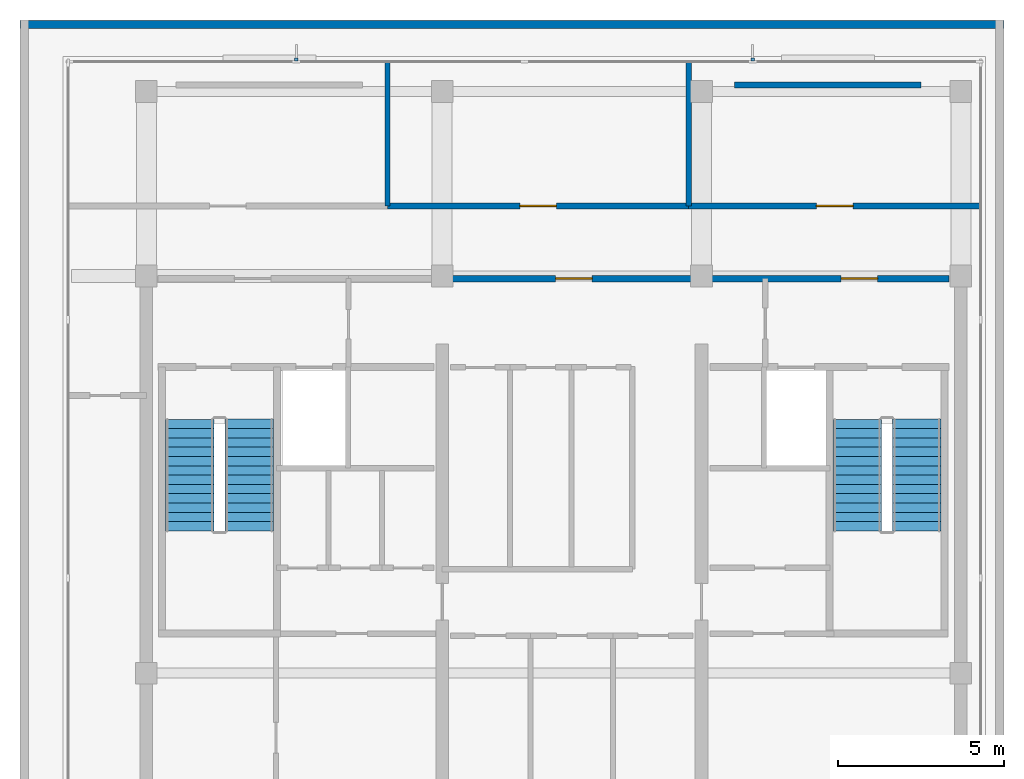
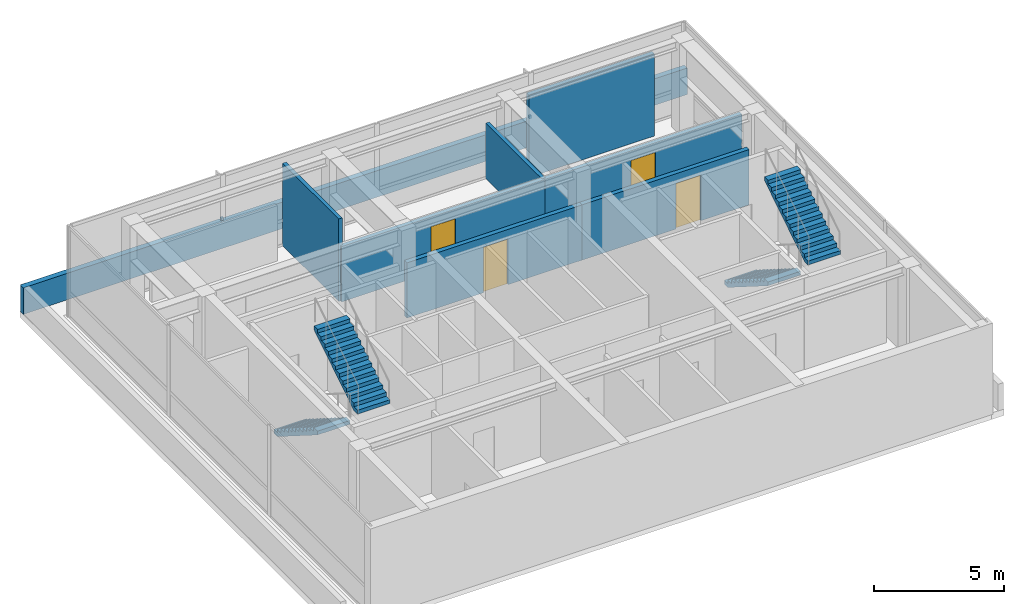
# One storey, part 4 of 5: 8 walls, 4 doors, 4 stair flights, 2 discrete accessories, 4 openings, 2 elements without a shape of their own.
"""IFC4 building model written with IfcOpenShell, lengths in metres."""

import ifcopenshell
import ifcopenshell.guid

model = None  # the IFC model being written
_history = None  # IfcOwnerHistory: only IFC2X3 demands one
_inside = {}  # id of a spatial element -> (the spatial element, [elements in it])
_under = {}  # id of a project, library or spatial element -> (it, [spatial elements below it])
_declared = {}  # id of a project -> (the project, [libraries it declares])
_typed = {}  # id of a type object -> (the type object, [elements of that type])
_made_of = {}  # id of a material, layer set ... -> (it, [elements and type objects made of it])


def new_model(schema):
    """Start an empty IFC model of exactly this schema.

    Asked for "IFC4X3", IfcOpenShell would pick the latest addendum, in which some entities
    have other attributes; the version numbers below select the first issue.
    IFC2X3 requires an IfcOwnerHistory on every rooted entity: one is made here for all.
    """
    global model, _history
    if schema == "IFC4X3":
        model = ifcopenshell.file(schema_version=(4, 3, 0, 0))
    else:
        model = ifcopenshell.file(schema=schema)
    _inside.clear()
    _under.clear()
    _declared.clear()
    _typed.clear()
    _made_of.clear()
    _history = None
    if model.schema == "IFC2X3":
        org = make("IfcOrganization", Name="unknown")
        user = make(
            "IfcPersonAndOrganization",
            ThePerson=make("IfcPerson", FamilyName="unknown"),
            TheOrganization=org,
        )
        app = make(
            "IfcApplication",
            ApplicationDeveloper=org,
            Version="unknown",
            ApplicationFullName="unknown",
            ApplicationIdentifier="unknown",
        )
        _history = make(
            "IfcOwnerHistory",
            OwningUser=user,
            OwningApplication=app,
            ChangeAction="ADDED",
            CreationDate=0,
        )
    return model


def make(cls, **values):
    """One entity of the class cls with the attributes given. An attribute that is None is left unset."""
    return model.create_entity(
        cls, **{name: value for name, value in values.items() if value is not None}
    )


def rooted(cls, **values):
    """An entity with a GlobalId (a new one), such as an element, a storey or a relation."""
    return make(cls, GlobalId=ifcopenshell.guid.new(), OwnerHistory=_history, **values)


def si_unit(unit_type, name, prefix=None):
    """IfcSIUnit, for example si_unit("LENGTHUNIT", "METRE", prefix="MILLI")."""
    return make("IfcSIUnit", UnitType=unit_type, Prefix=prefix, Name=name)


def assignment(units):
    """IfcUnitAssignment: the units of a project."""
    return None if units is None else make("IfcUnitAssignment", Units=units)


def point(xyz):
    """IfcCartesianPoint."""
    return None if xyz is None else make("IfcCartesianPoint", Coordinates=xyz)


def direction(xyz):
    """IfcDirection."""
    return None if xyz is None else make("IfcDirection", DirectionRatios=xyz)


def frame(location, z_axis=None, x_axis=None):
    """IfcAxis2Placement3D, a coordinate frame: its origin and axes. An axis left out is left unset."""
    return make(
        "IfcAxis2Placement3D",
        Location=point(location),
        Axis=direction(z_axis),
        RefDirection=direction(x_axis),
    )


def frame_2d(location, x_axis=None):
    """IfcAxis2Placement2D, a coordinate frame in the plane: its origin and x axis."""
    return make(
        "IfcAxis2Placement2D", Location=point(location), RefDirection=direction(x_axis)
    )


def origin():
    """The frame at (0, 0, 0) with its axes left unset."""
    return frame((0.0, 0.0, 0.0))


def place(relative_to, where):
    """IfcLocalPlacement: puts the frame where relative to a parent placement (None: the world)."""
    return make(
        "IfcLocalPlacement", PlacementRelTo=relative_to, RelativePlacement=where
    )


def context(
    kind, dimensions, precision=None, world=None, true_north=None, identifier=None
):
    """IfcGeometricRepresentationContext, for example the 3D "Model" context."""
    return make(
        "IfcGeometricRepresentationContext",
        ContextIdentifier=identifier,
        ContextType=kind,
        CoordinateSpaceDimension=dimensions,
        Precision=precision,
        WorldCoordinateSystem=world,
        TrueNorth=true_north,
    )


def subcontext(parent, identifier, kind, view, scale=None):
    """IfcGeometricRepresentationSubContext, for example "Body" below "Model"."""
    return make(
        "IfcGeometricRepresentationSubContext",
        ContextIdentifier=identifier,
        ContextType=kind,
        ParentContext=parent,
        TargetScale=scale,
        TargetView=view,
    )


def project(units=None, contexts=None):
    """IfcProject with its units and contexts."""
    return rooted(
        "IfcProject",
        Name="project",
        RepresentationContexts=contexts,
        UnitsInContext=assignment(units),
    )


def spatial(cls, under=None, at=None, **own):
    """A site, building, storey or space (cls), placed at a placement, below another one or the project."""
    s = rooted(cls, ObjectPlacement=at, **own)
    if under is not None:
        _under.setdefault(under.id(), (under, []))[1].append(s)
    return s


def polyline(points):
    """IfcPolyline through the points."""
    return make("IfcPolyline", Points=[point(p) for p in points])


def profile(cls, at=None, kind="AREA", **sizes):
    """A parametric profile (cls). Its sizes go by their IFC names, for example OverallWidth=200.0."""
    return make(cls, ProfileType=kind, Position=at, **sizes)


def rectangle(**sizes):
    """IfcRectangleProfileDef."""
    return profile("IfcRectangleProfileDef", **sizes)


def outline(outer, holes=None, kind="AREA"):
    """IfcArbitraryClosedProfileDef: a profile drawn as a closed curve; with holes, ...WithVoids."""
    if holes is None:
        return make("IfcArbitraryClosedProfileDef", ProfileType=kind, OuterCurve=outer)
    return make(
        "IfcArbitraryProfileDefWithVoids",
        ProfileType=kind,
        OuterCurve=outer,
        InnerCurves=holes,
    )


def extrude(swept, where, along, depth):
    """IfcExtrudedAreaSolid: the profile swept, set in the frame where, extruded along a direction by depth."""
    return make(
        "IfcExtrudedAreaSolid",
        SweptArea=swept,
        Position=where,
        ExtrudedDirection=direction(along),
        Depth=depth,
    )


def shape(context_of_items, identifier, shape_type, items):
    """IfcShapeRepresentation: the items that make up one representation, for example the "Body"."""
    return make(
        "IfcShapeRepresentation",
        ContextOfItems=context_of_items,
        RepresentationIdentifier=identifier,
        RepresentationType=shape_type,
        Items=items,
    )


def material(Name=None, Category=None):
    """IfcMaterial."""
    return make("IfcMaterial", Name=Name, Category=Category)


def layer(
    of_material, thickness, ventilated=None, Name=None, Category=None, Priority=None
):
    """IfcMaterialLayer: one layer of a wall or slab, of a material (None: an air gap)."""
    return make(
        "IfcMaterialLayer",
        Material=of_material,
        LayerThickness=thickness,
        IsVentilated=ventilated,
        Name=Name,
        Category=Category,
        Priority=Priority,
    )


def layer_set(layers, Name=None):
    """IfcMaterialLayerSet."""
    return make("IfcMaterialLayerSet", MaterialLayers=layers, LayerSetName=Name)


def made_of(thing, what):
    """Note that an element or type object is made of a material, layer set ...; save() writes the relation."""
    if what is not None:
        _made_of.setdefault(what.id(), (what, []))[1].append(thing)
    return thing


def type_object(cls, material=None, **own):
    """A type object (cls), such as IfcWallType, which elements share."""
    return made_of(rooted(cls, **own), material)


def element(
    cls,
    number,
    at=None,
    inside=None,
    cuts=None,
    type_object=None,
    material=None,
    context=None,
    identifier="Body",
    shape_type=None,
    held_by="IfcProductDefinitionShape",
    body=None,
    shapes=None,
    **own,
):
    """One element of the class cls, such as IfcWall. Its Tag is "e" and its number.

    at: its placement. inside: the storey or other place that contains it. cuts: it is an
    opening in that element (IfcRelVoidsElement). A single representation is given by context,
    identifier, shape_type and body (its items); several are given by shapes. held_by: the class
    of the entity that holds the representations. save() writes the other relations.
    """
    e = rooted(cls, Tag="e%d" % number, ObjectPlacement=at, **own)
    if body is not None:
        shapes = [shape(context, identifier, shape_type, body)]
    if shapes is not None:
        e.Representation = make(held_by, Representations=shapes)
    if inside is not None:
        _inside.setdefault(inside.id(), (inside, []))[1].append(e)
    if cuts is not None:
        rooted(
            "IfcRelVoidsElement", RelatingBuildingElement=cuts, RelatedOpeningElement=e
        )
    if type_object is not None:
        _typed.setdefault(type_object.id(), (type_object, []))[1].append(e)
    return made_of(e, material)


def fill(opening, filler):
    """IfcRelFillsElement: the door or window that sits in an opening."""
    return rooted(
        "IfcRelFillsElement",
        RelatingOpeningElement=opening,
        RelatedBuildingElement=filler,
    )


def aggregate(whole, parts):
    """IfcRelAggregates: a whole, such as a stair, and the parts it consists of."""
    return rooted("IfcRelAggregates", RelatingObject=whole, RelatedObjects=parts)


def save(model, path):
    """Write the relations noted so far, then the file.

    IfcRelAggregates (storeys below a building ...), IfcRelContainedInSpatialStructure (elements
    in a storey), IfcRelDefinesByType, IfcRelAssociatesMaterial and IfcRelDeclares: one each for
    every whole, place, type object, material and project.
    """
    for whole, parts in _under.values():
        aggregate(whole, parts)
    for where, things in _inside.values():
        rooted(
            "IfcRelContainedInSpatialStructure",
            RelatedElements=things,
            RelatingStructure=where,
        )
    for kind, things in _typed.values():
        rooted("IfcRelDefinesByType", RelatedObjects=things, RelatingType=kind)
    for what, things in _made_of.values():
        rooted("IfcRelAssociatesMaterial", RelatedObjects=things, RelatingMaterial=what)
    for by, libraries in _declared.values():
        rooted("IfcRelDeclares", RelatingContext=by, RelatedDefinitions=libraries)
    model.write(path)


model = new_model("IFC4")

# Units and contexts
model_context = context("Model", 3, precision=1e-05, world=origin(), true_north=direction((0.0, 1.0)))
body_context = subcontext(model_context, "Body", "Model", "MODEL_VIEW")
ifc_project = project(units=[si_unit("LENGTHUNIT", "METRE"), si_unit("AREAUNIT", "SQUARE_METRE"), si_unit("VOLUMEUNIT", "CUBIC_METRE"), si_unit("PLANEANGLEUNIT", "RADIAN"), si_unit("MASSUNIT", "GRAM", prefix="KILO")], contexts=[model_context])

# Site, building, storey
site_placement = place(None, origin())
site = spatial("IfcSite", under=ifc_project, at=site_placement, CompositionType="ELEMENT")
building_placement = place(site_placement, origin())
building = spatial("IfcBuilding", under=site, at=building_placement, Name="Qalmaran Belvedere Hotel", CompositionType="ELEMENT")
storey_placement = place(building_placement, frame((0.0, 0.0, 303.300048828125)))
storey = spatial("IfcBuildingStorey", under=building, at=storey_placement, Name="C02", CompositionType="ELEMENT", Elevation=303.300048828125)

# Walls
ifc_material_1 = material(Name="Anodised Bronze Cladding")
ifc_layer_1 = layer(ifc_material_1, 0.18505859375, Name="Anodised Bronze Cladding")
ifc_layer_set_1 = layer_set([ifc_layer_1], Name="Anodised Bronze Cladding")
wall_type_1 = type_object("IfcWallType", Name="WL-CRN-SCRN-185", PredefinedType="ELEMENTEDWALL", material=ifc_layer_set_1)
wall_1_placement = place(storey_placement, frame((38.0, 26.25, 0.0), z_axis=(0.0, 0.0, 1.0), x_axis=(1.0, 0.0, 0.0)))
element("IfcWall", 1, at=wall_1_placement, inside=storey, type_object=wall_type_1, Name="C02 Crown Acoustic Screen N2", PredefinedType="ELEMENTEDWALL", context=body_context, shape_type="SweptSolid", body=[
    extrude(rectangle(XDim=5.60009765625, YDim=0.18505859375, at=frame_2d((2.800048828125, 0.0))), origin(), (0.0, 0.0, 1.0), 3.885009765625),
])
ifc_material_2 = material(Name="Gypsum Stud Partition")
ifc_layer_2 = layer(ifc_material_2, 0.159912109375, Name="Gypsum Stud Partition")
ifc_layer_set_2 = layer_set([ifc_layer_2], Name="Gypsum Stud Partition")
wall_type_2 = type_object("IfcWallType", Name="WL-INT-160-EI120", PredefinedType="PARTITIONING", material=ifc_layer_set_2)
wall_2_placement = place(storey_placement, frame((27.5576171875, 22.610107421875, 0.0), z_axis=(0.0, 0.0, 1.0), x_axis=(0.0, 1.0, 0.0)))
element("IfcWall", 2, at=wall_2_placement, inside=storey, type_object=wall_type_2, Name="C02 Partition WL-C02-CV1", PredefinedType="PARTITIONING", context=body_context, shape_type="SweptSolid", body=[
    extrude(rectangle(XDim=4.33984375, YDim=0.159912109375, at=frame_2d((2.169921875, 0.0))), origin(), (0.0, 0.0, 1.0), 3.885009765625),
])
wall_3_placement = place(storey_placement, frame((36.615966796875, 22.610107421875, 0.0), z_axis=(0.0, 0.0, 1.0), x_axis=(0.0, 1.0, 0.0)))
element("IfcWall", 3, at=wall_3_placement, inside=storey, type_object=wall_type_2, Name="C02 Partition WL-C02-CV2", PredefinedType="PARTITIONING", context=body_context, shape_type="SweptSolid", body=[
    extrude(rectangle(XDim=4.33984375, YDim=0.159912109375, at=frame_2d((2.169921875, 0.0))), origin(), (0.0, 0.0, 1.0), 2.60498046875),
])

# Wall, opening, door
ifc_layer_3 = layer(ifc_material_2, 0.179931640625, Name="Gypsum Stud Partition")
ifc_layer_set_3 = layer_set([ifc_layer_3], Name="Gypsum Stud Partition")
wall_type_3 = type_object("IfcWallType", Name="WL-INT-180-EI120", PredefinedType="PARTITIONING", material=ifc_layer_set_3)
wall_4_placement = place(storey_placement, frame((27.5576171875, 22.610107421875, 0.0), z_axis=(0.0, 0.0, 1.0), x_axis=(1.0, 0.0, 0.0)))
wall_4 = element("IfcWall", 4, at=wall_4_placement, inside=storey, type_object=wall_type_3, Name="C02 Partition WL-C02-CCN2", PredefinedType="PARTITIONING", context=body_context, shape_type="SweptSolid", body=[
    extrude(rectangle(XDim=9.058349609375, YDim=0.179931640625, at=frame_2d((4.529296875, 0.0))), origin(), (0.0, 0.0, 1.0), 2.60498046875),
])
opening_1_placement = place(wall_4_placement, frame((3.979248046875, 0.0, 0.0)))
opening_1 = element("IfcOpeningElement", 5, at=opening_1_placement, cuts=wall_4, Name="Opening FD90", PredefinedType="OPENING", context=body_context, shape_type="SweptSolid", body=[
    extrude(rectangle(XDim=1.10009765625, YDim=2.14990234375, at=frame_2d((0.550048828125, 1.074951171875))), frame((0.0, 0.10009765625, 0.0), z_axis=(0.0, -1.0, 0.0), x_axis=(1.0, 0.0, 0.0)), (0.0, 0.0, 1.0), 0.199951171875),
])
ifc_material_3 = material(Name="Steel S355JR", Category="steel")
door_type = type_object("IfcDoorType", Name="DR-FD90-1100X2150", OperationType="NOTDEFINED", PredefinedType="DOOR", material=ifc_material_3)
door_1_placement = place(opening_1_placement, origin())
door_1 = element("IfcDoor", 6, at=door_1_placement, inside=storey, type_object=door_type, Name="C02 Smoke Extract and AHU Plant Room Door", OperationType="SINGLE_SWING_LEFT", OverallHeight=2.14990234375, OverallWidth=1.10009765625, PredefinedType="DOOR", context=body_context, shape_type="SweptSolid", body=[
    extrude(rectangle(XDim=1.10009765625, YDim=2.14990234375, at=frame_2d((0.550048828125, 1.074951171875))), frame((0.0, 0.02490234375, 0.0), z_axis=(0.0, -1.0, 0.0), x_axis=(1.0, 0.0, 0.0)), (0.0, 0.0, 1.0), 0.050048828125),
])
fill(opening_1, door_1)

wall_5_placement = place(storey_placement, frame((36.615966796875, 22.610107421875, 0.0), z_axis=(0.0, 0.0, 1.0), x_axis=(1.0, 0.0, 0.0)))
wall_5 = element("IfcWall", 7, at=wall_5_placement, inside=storey, type_object=wall_type_3, Name="C02 Partition WL-C02-CCN3", PredefinedType="PARTITIONING", context=body_context, shape_type="SweptSolid", body=[
    extrude(rectangle(XDim=8.783935546875, YDim=0.179931640625, at=frame_2d((4.39208984375, 0.0))), origin(), (0.0, 0.0, 1.0), 2.60498046875),
])
opening_2_placement = place(wall_5_placement, frame((3.842041015625, 0.0, 0.0)))
opening_2 = element("IfcOpeningElement", 8, at=opening_2_placement, cuts=wall_5, Name="Opening FD90", PredefinedType="OPENING", context=body_context, shape_type="SweptSolid", body=[
    extrude(rectangle(XDim=1.10009765625, YDim=2.14990234375, at=frame_2d((0.550048828125, 1.074951171875))), frame((0.0, 0.10009765625, 0.0), z_axis=(0.0, -1.0, 0.0), x_axis=(1.0, 0.0, 0.0)), (0.0, 0.0, 1.0), 0.199951171875),
])
door_2_placement = place(opening_2_placement, origin())
door_2 = element("IfcDoor", 9, at=door_2_placement, inside=storey, type_object=door_type, Name="C02 BMU and Break Tank Plant Room Door", OperationType="SINGLE_SWING_RIGHT", OverallHeight=2.14990234375, OverallWidth=1.10009765625, PredefinedType="DOOR", context=body_context, shape_type="SweptSolid", body=[
    extrude(rectangle(XDim=1.10009765625, YDim=2.14990234375, at=frame_2d((0.550048828125, 1.074951171875))), frame((0.0, 0.02490234375, 0.0), z_axis=(0.0, -1.0, 0.0), x_axis=(1.0, 0.0, 0.0)), (0.0, 0.0, 1.0), 0.050048828125),
])
fill(opening_2, door_2)

ifc_material_4 = material(Name="Concrete C30/37 Blockwork", Category="masonry")
ifc_layer_4 = layer(ifc_material_4, 0.199951171875, Name="Concrete C30/37 Blockwork")
ifc_layer_set_4 = layer_set([ifc_layer_4], Name="Concrete C30/37 Blockwork")
wall_type_4 = type_object("IfcWallType", Name="WL-INT-200-EI120", PredefinedType="PARTITIONING", material=ifc_layer_set_4)
wall_6_placement = place(storey_placement, frame((29.199951171875, 20.419921875, 0.0), z_axis=(0.0, 0.0, 1.0), x_axis=(1.0, 0.0, 0.0)))
wall_6 = element("IfcWall", 10, at=wall_6_placement, inside=storey, type_object=wall_type_4, Name="C02 Partition WL-CN2-C02", PredefinedType="PARTITIONING", context=body_context, shape_type="SweptSolid", body=[
    extrude(rectangle(XDim=7.800048828125, YDim=0.199951171875, at=frame_2d((3.89990234375, 0.0))), origin(), (0.0, 0.0, 1.0), 2.60498046875),
])
opening_3_placement = place(wall_6_placement, frame((3.4091796875, 0.0, 0.0)))
opening_3 = element("IfcOpeningElement", 11, at=opening_3_placement, cuts=wall_6, Name="Opening FD90", PredefinedType="OPENING", context=body_context, shape_type="SweptSolid", body=[
    extrude(rectangle(XDim=1.10009765625, YDim=2.14990234375, at=frame_2d((0.550048828125, 1.074951171875))), frame((0.0, 0.10986328125, 0.0), z_axis=(0.0, -1.0, 0.0), x_axis=(1.0, 0.0, 0.0)), (0.0, 0.0, 1.0), 0.219970703125),
])
door_3_placement = place(opening_3_placement, origin())
door_3 = element("IfcDoor", 12, at=door_3_placement, inside=storey, type_object=door_type, Name="C02 Central Lift Lobby Door", OperationType="SINGLE_SWING_LEFT", OverallHeight=2.14990234375, OverallWidth=1.10009765625, PredefinedType="DOOR", context=body_context, shape_type="SweptSolid", body=[
    extrude(rectangle(XDim=1.10009765625, YDim=2.14990234375, at=frame_2d((0.550048828125, 1.074951171875))), frame((0.0, 0.02490234375, 0.0), z_axis=(0.0, -1.0, 0.0), x_axis=(1.0, 0.0, 0.0)), (0.0, 0.0, 1.0), 0.050048828125),
])
fill(opening_3, door_3)

wall_7_placement = place(storey_placement, frame((37.0, 20.419921875, 0.0), z_axis=(0.0, 0.0, 1.0), x_axis=(1.0, 0.0, 0.0)))
wall_7 = element("IfcWall", 13, at=wall_7_placement, inside=storey, type_object=wall_type_4, Name="C02 Partition WL-CN3-C02", PredefinedType="PARTITIONING", context=body_context, shape_type="SweptSolid", body=[
    extrude(rectangle(XDim=7.449951171875, YDim=0.199951171875, at=frame_2d((3.72509765625, 0.0))), origin(), (0.0, 0.0, 1.0), 2.60498046875),
])
opening_4_placement = place(wall_7_placement, frame((4.199951171875, 0.0, 0.0)))
opening_4 = element("IfcOpeningElement", 14, at=opening_4_placement, cuts=wall_7, Name="Opening FD90", PredefinedType="OPENING", context=body_context, shape_type="SweptSolid", body=[
    extrude(rectangle(XDim=1.10009765625, YDim=2.14990234375, at=frame_2d((0.550048828125, 1.074951171875))), frame((0.0, 0.10986328125, 0.0), z_axis=(0.0, -1.0, 0.0), x_axis=(1.0, 0.0, 0.0)), (0.0, 0.0, 1.0), 0.219970703125),
])
door_4_placement = place(opening_4_placement, origin())
door_4 = element("IfcDoor", 15, at=door_4_placement, inside=storey, type_object=door_type, Name="C02 FF2 Lobby Corridor Door", OperationType="SINGLE_SWING_RIGHT", OverallHeight=2.14990234375, OverallWidth=1.10009765625, PredefinedType="DOOR", context=body_context, shape_type="SweptSolid", body=[
    extrude(rectangle(XDim=1.10009765625, YDim=2.14990234375, at=frame_2d((0.550048828125, 1.074951171875))), frame((0.0, 0.02490234375, 0.0), z_axis=(0.0, -1.0, 0.0), x_axis=(1.0, 0.0, 0.0)), (0.0, 0.0, 1.0), 0.050048828125),
])
fill(opening_4, door_4)

# Wall
ifc_material_5 = material(Name="Concrete C40/50", Category="concrete")
ifc_layer_5 = layer(ifc_material_5, 0.239990234375, Name="Concrete C40/50")
ifc_layer_set_5 = layer_set([ifc_layer_5], Name="Concrete C40/50")
wall_type_5 = type_object("IfcWallType", Name="WL-PARAPET-240", PredefinedType="PARAPET", material=ifc_layer_set_5)
wall_8_placement = place(storey_placement, frame((46.10009765625, 28.06005859375, 0.0), z_axis=(0.0, 0.0, 1.0), x_axis=(-1.0, 0.0, 0.0)))
element("IfcWall", 16, at=wall_8_placement, inside=storey, type_object=wall_type_5, Name="C02 Roof Parapet 3", PredefinedType="PARAPET", context=body_context, shape_type="SweptSolid", body=[
    extrude(rectangle(XDim=29.60009765625, YDim=0.239990234375, at=frame_2d((14.800048828125, 0.0))), origin(), (0.0, 0.0, 1.0), 1.25),
])

# Stair, stair flights
stair_type_1 = type_object("IfcStairType", Name="STR-ST-1-1450-R1769", PredefinedType="HALF_TURN_STAIR", material=ifc_material_5)
stair_1_placement = place(storey_placement, origin())
stair_1 = element("IfcStair", 17, at=stair_1_placement, inside=storey, type_object=stair_type_1, Name="C02 West Core Exit Stair ST-1", PredefinedType="HALF_TURN_STAIR")
ifc_layer_6 = layer(ifc_material_5, 0.14990234375, Name="Concrete C40/50")
ifc_layer_set_6 = layer_set([ifc_layer_6], Name="Concrete C40/50")
stair_flight_type_1 = type_object("IfcStairFlightType", Name="STF-ST-1-1450-R1769", PredefinedType="STRAIGHT", material=ifc_layer_set_6)
stair_flight_1_placement = place(storey_placement, frame((21.60498046875, 16.18994140625, 0.0), z_axis=(0.0, 0.0, 1.0), x_axis=(0.0, -1.0, 0.0)))
stair_flight_1 = element("IfcStairFlight", 18, at=stair_flight_1_placement, type_object=stair_flight_type_1, Name="ST-1 flight 1", NumberOfRisers=13, NumberOfTreads=12, PredefinedType="STRAIGHT", RiserHeight=0.176923077, TreadLength=0.28, context=body_context, shape_type="SweptSolid", body=[
    extrude(outline(polyline([(0.0, 0.0), (0.0, 0.177001953125), (0.280029296875, 0.177001953125), (0.280029296875, 0.353759765625), (0.56005859375, 0.353759765625), (0.56005859375, 0.53076171875), (0.840087890625, 0.53076171875), (0.840087890625, 0.707763671875), (1.1201171875, 0.707763671875), (1.1201171875, 0.884521484375), (1.39990234375, 0.884521484375), (1.39990234375, 1.0615234375), (1.679931640625, 1.0615234375), (1.679931640625, 1.238525390625), (1.9599609375, 1.238525390625), (1.9599609375, 1.415283203125), (2.239990234375, 1.415283203125), (2.239990234375, 1.59228515625), (2.52001953125, 1.59228515625), (2.52001953125, 1.769287109375), (2.800048828125, 1.769287109375), (2.800048828125, 1.946044921875), (3.080078125, 1.946044921875), (3.080078125, 2.123046875), (3.360107421875, 2.123046875), (3.360107421875, 2.300048828125), (3.360107421875, 1.94580078125), (0.280517578125, 0.0), (0.0, 0.0)])), frame((0.0, 0.72509765625, 0.0), z_axis=(0.0, -1.0, 0.0), x_axis=(1.0, 0.0, 0.0)), (0.0, 0.0, 1.0), 1.449951171875),
])
stair_flight_2_placement = place(storey_placement, frame((23.39501953125, 12.830078125, 2.300048828125), z_axis=(0.0, 0.0, 1.0), x_axis=(0.0, 1.0, 0.0)))
stair_flight_2 = element("IfcStairFlight", 19, at=stair_flight_2_placement, type_object=stair_flight_type_1, Name="ST-1 flight 2", NumberOfRisers=13, NumberOfTreads=12, PredefinedType="STRAIGHT", RiserHeight=0.176923077, TreadLength=0.28, context=body_context, shape_type="SweptSolid", body=[
    extrude(outline(polyline([(0.0, 0.0), (0.0, 0.177001953125), (0.280029296875, 0.177001953125), (0.280029296875, 0.353759765625), (0.56005859375, 0.353759765625), (0.56005859375, 0.53076171875), (0.840087890625, 0.53076171875), (0.840087890625, 0.707763671875), (1.1201171875, 0.707763671875), (1.1201171875, 0.884521484375), (1.39990234375, 0.884521484375), (1.39990234375, 1.0615234375), (1.679931640625, 1.0615234375), (1.679931640625, 1.238525390625), (1.9599609375, 1.238525390625), (1.9599609375, 1.415283203125), (2.239990234375, 1.415283203125), (2.239990234375, 1.59228515625), (2.52001953125, 1.59228515625), (2.52001953125, 1.769287109375), (2.800048828125, 1.769287109375), (2.800048828125, 1.946044921875), (3.080078125, 1.946044921875), (3.080078125, 2.123046875), (3.360107421875, 2.123046875), (3.360107421875, 2.300048828125), (3.360107421875, 1.94580078125), (0.280517578125, 0.0), (0.0, 0.0)])), frame((0.0, 0.72509765625, 0.0), z_axis=(0.0, -1.0, 0.0), x_axis=(1.0, 0.0, 0.0)), (0.0, 0.0, 1.0), 1.449951171875),
])
aggregate(stair_1, [stair_flight_1, stair_flight_2])

stair_type_2 = type_object("IfcStairType", Name="STR-ST-2-1450-R1769", PredefinedType="HALF_TURN_STAIR", material=ifc_material_5)
stair_2_placement = place(storey_placement, origin())
stair_2 = element("IfcStair", 20, at=stair_2_placement, inside=storey, type_object=stair_type_2, Name="C02 East Core Exit Stair ST-2", PredefinedType="HALF_TURN_STAIR")
ifc_layer_7 = layer(ifc_material_5, 0.14990234375, Name="Concrete C40/50")
ifc_layer_set_7 = layer_set([ifc_layer_7], Name="Concrete C40/50")
stair_flight_type_2 = type_object("IfcStairFlightType", Name="STF-ST-2-1450-R1769", PredefinedType="STRAIGHT", material=ifc_layer_set_7)
stair_flight_3_placement = place(storey_placement, frame((41.68505859375, 16.18994140625, 0.0), z_axis=(0.0, 0.0, 1.0), x_axis=(0.0, -1.0, 0.0)))
stair_flight_3 = element("IfcStairFlight", 21, at=stair_flight_3_placement, type_object=stair_flight_type_2, Name="ST-2 flight 1", NumberOfRisers=13, NumberOfTreads=12, PredefinedType="STRAIGHT", RiserHeight=0.176923077, TreadLength=0.28, context=body_context, shape_type="SweptSolid", body=[
    extrude(outline(polyline([(0.0, 0.0), (0.0, 0.177001953125), (0.280029296875, 0.177001953125), (0.280029296875, 0.353759765625), (0.56005859375, 0.353759765625), (0.56005859375, 0.53076171875), (0.840087890625, 0.53076171875), (0.840087890625, 0.707763671875), (1.1201171875, 0.707763671875), (1.1201171875, 0.884521484375), (1.39990234375, 0.884521484375), (1.39990234375, 1.0615234375), (1.679931640625, 1.0615234375), (1.679931640625, 1.238525390625), (1.9599609375, 1.238525390625), (1.9599609375, 1.415283203125), (2.239990234375, 1.415283203125), (2.239990234375, 1.59228515625), (2.52001953125, 1.59228515625), (2.52001953125, 1.769287109375), (2.800048828125, 1.769287109375), (2.800048828125, 1.946044921875), (3.080078125, 1.946044921875), (3.080078125, 2.123046875), (3.360107421875, 2.123046875), (3.360107421875, 2.300048828125), (3.360107421875, 1.94580078125), (0.280517578125, 0.0), (0.0, 0.0)])), frame((0.0, 0.72509765625, 0.0), z_axis=(0.0, -1.0, 0.0), x_axis=(1.0, 0.0, 0.0)), (0.0, 0.0, 1.0), 1.449951171875),
])
stair_flight_4_placement = place(storey_placement, frame((43.47509765625, 12.830078125, 2.300048828125), z_axis=(0.0, 0.0, 1.0), x_axis=(0.0, 1.0, 0.0)))
stair_flight_4 = element("IfcStairFlight", 22, at=stair_flight_4_placement, type_object=stair_flight_type_2, Name="ST-2 flight 2", NumberOfRisers=13, NumberOfTreads=12, PredefinedType="STRAIGHT", RiserHeight=0.176923077, TreadLength=0.28, context=body_context, shape_type="SweptSolid", body=[
    extrude(outline(polyline([(0.0, 0.0), (0.0, 0.177001953125), (0.280029296875, 0.177001953125), (0.280029296875, 0.353759765625), (0.56005859375, 0.353759765625), (0.56005859375, 0.53076171875), (0.840087890625, 0.53076171875), (0.840087890625, 0.707763671875), (1.1201171875, 0.707763671875), (1.1201171875, 0.884521484375), (1.39990234375, 0.884521484375), (1.39990234375, 1.0615234375), (1.679931640625, 1.0615234375), (1.679931640625, 1.238525390625), (1.9599609375, 1.238525390625), (1.9599609375, 1.415283203125), (2.239990234375, 1.415283203125), (2.239990234375, 1.59228515625), (2.52001953125, 1.59228515625), (2.52001953125, 1.769287109375), (2.800048828125, 1.769287109375), (2.800048828125, 1.946044921875), (3.080078125, 1.946044921875), (3.080078125, 2.123046875), (3.360107421875, 2.123046875), (3.360107421875, 2.300048828125), (3.360107421875, 1.94580078125), (0.280517578125, 0.0), (0.0, 0.0)])), frame((0.0, 0.72509765625, 0.0), z_axis=(0.0, -1.0, 0.0), x_axis=(1.0, 0.0, 0.0)), (0.0, 0.0, 1.0), 1.449951171875),
])
aggregate(stair_2, [stair_flight_3, stair_flight_4])

# Discrete accessories
ifc_material_6 = material(Name="Stainless Steel 1.4401", Category="steel")
discrete_accessory_type = type_object("IfcDiscreteAccessoryType", Name="BRK-FIN-SS316", PredefinedType="BRACKET", material=ifc_material_6)
discrete_accessory_1_placement = place(storey_placement, frame((0.0, 0.0, 2.099853515625)))
element("IfcDiscreteAccessory", 23, at=discrete_accessory_1_placement, inside=storey, type_object=discrete_accessory_type, Name="C02 Fin Bracket 1", PredefinedType="BRACKET", context=body_context, shape_type="SweptSolid", body=[
    extrude(outline(polyline([(38.592529296875, 26.965087890625), (38.592529296875, 27.0625), (38.482421875, 27.0625), (38.482421875, 26.965087890625), (38.592529296875, 26.965087890625)])), origin(), (0.0, 0.0, 1.0), 0.14013671875),
])
discrete_accessory_2_placement = place(storey_placement, frame((0.0, 0.0, 2.099853515625)))
element("IfcDiscreteAccessory", 24, at=discrete_accessory_2_placement, inside=storey, type_object=discrete_accessory_type, Name="C02 Fin Bracket 3", PredefinedType="BRACKET", context=body_context, shape_type="SweptSolid", body=[
    extrude(outline(polyline([(24.867431640625, 26.965087890625), (24.867431640625, 27.0625), (24.757568359375, 27.0625), (24.757568359375, 26.965087890625), (24.867431640625, 26.965087890625)])), origin(), (0.0, 0.0, 1.0), 0.14013671875),
])

save(model, "model.ifc")
